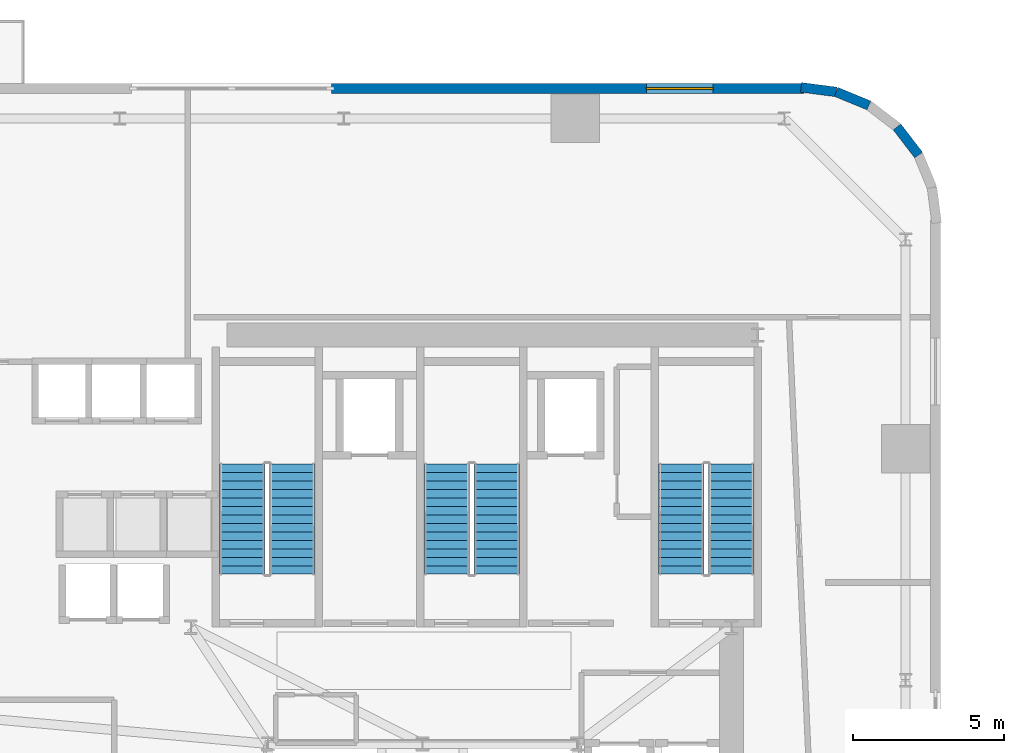
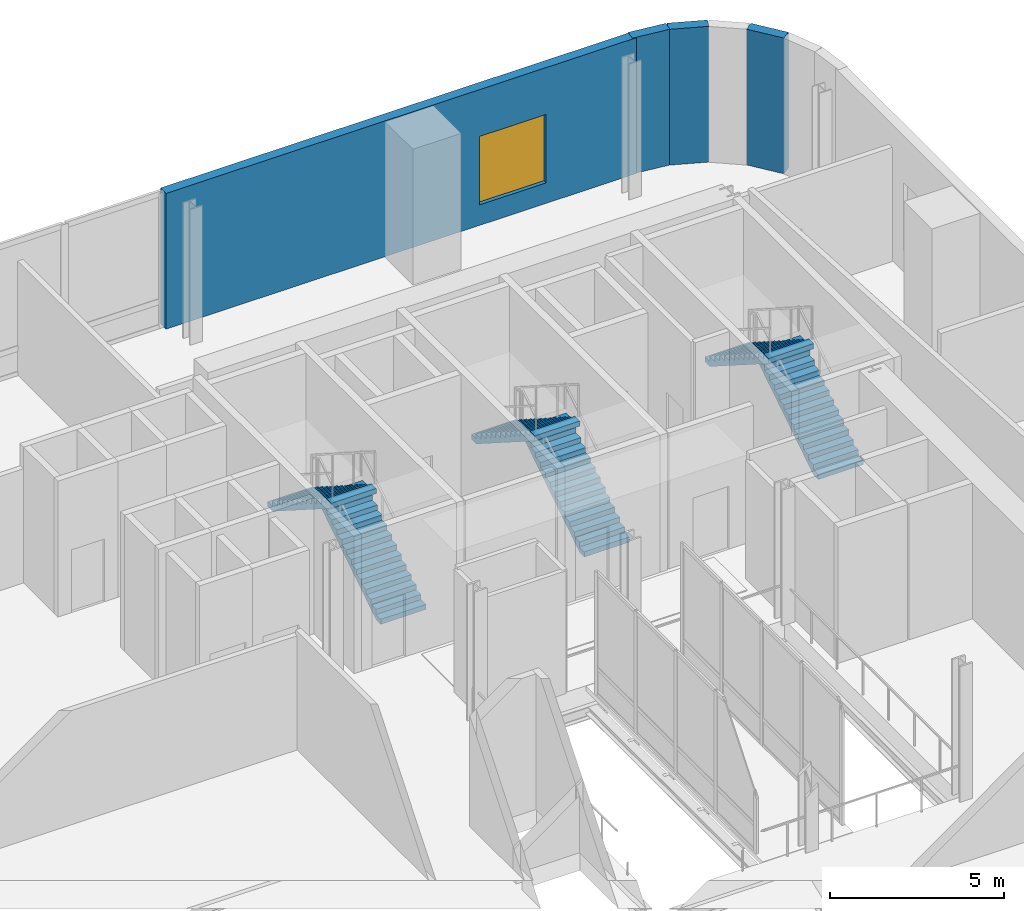
# One storey, part 10 of 13: 6 stair flights, 4 walls, 1 window, 1 opening, 3 elements without a shape of their own.
"""IFC4 building model written with IfcOpenShell, lengths in metres."""

import ifcopenshell
import ifcopenshell.guid

model = None  # the IFC model being written
_history = None  # IfcOwnerHistory: only IFC2X3 demands one
_inside = {}  # id of a spatial element -> (the spatial element, [elements in it])
_under = {}  # id of a project, library or spatial element -> (it, [spatial elements below it])
_declared = {}  # id of a project -> (the project, [libraries it declares])
_typed = {}  # id of a type object -> (the type object, [elements of that type])
_made_of = {}  # id of a material, layer set ... -> (it, [elements and type objects made of it])


def new_model(schema):
    """Start an empty IFC model of exactly this schema.

    Asked for "IFC4X3", IfcOpenShell would pick the latest addendum, in which some entities
    have other attributes; the version numbers below select the first issue.
    IFC2X3 requires an IfcOwnerHistory on every rooted entity: one is made here for all.
    """
    global model, _history
    if schema == "IFC4X3":
        model = ifcopenshell.file(schema_version=(4, 3, 0, 0))
    else:
        model = ifcopenshell.file(schema=schema)
    _inside.clear()
    _under.clear()
    _declared.clear()
    _typed.clear()
    _made_of.clear()
    _history = None
    if model.schema == "IFC2X3":
        org = make("IfcOrganization", Name="unknown")
        user = make(
            "IfcPersonAndOrganization",
            ThePerson=make("IfcPerson", FamilyName="unknown"),
            TheOrganization=org,
        )
        app = make(
            "IfcApplication",
            ApplicationDeveloper=org,
            Version="unknown",
            ApplicationFullName="unknown",
            ApplicationIdentifier="unknown",
        )
        _history = make(
            "IfcOwnerHistory",
            OwningUser=user,
            OwningApplication=app,
            ChangeAction="ADDED",
            CreationDate=0,
        )
    return model


def make(cls, **values):
    """One entity of the class cls with the attributes given. An attribute that is None is left unset."""
    return model.create_entity(
        cls, **{name: value for name, value in values.items() if value is not None}
    )


def rooted(cls, **values):
    """An entity with a GlobalId (a new one), such as an element, a storey or a relation."""
    return make(cls, GlobalId=ifcopenshell.guid.new(), OwnerHistory=_history, **values)


def si_unit(unit_type, name, prefix=None):
    """IfcSIUnit, for example si_unit("LENGTHUNIT", "METRE", prefix="MILLI")."""
    return make("IfcSIUnit", UnitType=unit_type, Prefix=prefix, Name=name)


def assignment(units):
    """IfcUnitAssignment: the units of a project."""
    return None if units is None else make("IfcUnitAssignment", Units=units)


def point(xyz):
    """IfcCartesianPoint."""
    return None if xyz is None else make("IfcCartesianPoint", Coordinates=xyz)


def direction(xyz):
    """IfcDirection."""
    return None if xyz is None else make("IfcDirection", DirectionRatios=xyz)


def frame(location, z_axis=None, x_axis=None):
    """IfcAxis2Placement3D, a coordinate frame: its origin and axes. An axis left out is left unset."""
    return make(
        "IfcAxis2Placement3D",
        Location=point(location),
        Axis=direction(z_axis),
        RefDirection=direction(x_axis),
    )


def frame_2d(location, x_axis=None):
    """IfcAxis2Placement2D, a coordinate frame in the plane: its origin and x axis."""
    return make(
        "IfcAxis2Placement2D", Location=point(location), RefDirection=direction(x_axis)
    )


def origin():
    """The frame at (0, 0, 0) with its axes left unset."""
    return frame((0.0, 0.0, 0.0))


def place(relative_to, where):
    """IfcLocalPlacement: puts the frame where relative to a parent placement (None: the world)."""
    return make(
        "IfcLocalPlacement", PlacementRelTo=relative_to, RelativePlacement=where
    )


def context(
    kind, dimensions, precision=None, world=None, true_north=None, identifier=None
):
    """IfcGeometricRepresentationContext, for example the 3D "Model" context."""
    return make(
        "IfcGeometricRepresentationContext",
        ContextIdentifier=identifier,
        ContextType=kind,
        CoordinateSpaceDimension=dimensions,
        Precision=precision,
        WorldCoordinateSystem=world,
        TrueNorth=true_north,
    )


def subcontext(parent, identifier, kind, view, scale=None):
    """IfcGeometricRepresentationSubContext, for example "Body" below "Model"."""
    return make(
        "IfcGeometricRepresentationSubContext",
        ContextIdentifier=identifier,
        ContextType=kind,
        ParentContext=parent,
        TargetScale=scale,
        TargetView=view,
    )


def project(units=None, contexts=None):
    """IfcProject with its units and contexts."""
    return rooted(
        "IfcProject",
        Name="project",
        RepresentationContexts=contexts,
        UnitsInContext=assignment(units),
    )


def spatial(cls, under=None, at=None, **own):
    """A site, building, storey or space (cls), placed at a placement, below another one or the project."""
    s = rooted(cls, ObjectPlacement=at, **own)
    if under is not None:
        _under.setdefault(under.id(), (under, []))[1].append(s)
    return s


def polyline(points):
    """IfcPolyline through the points."""
    return make("IfcPolyline", Points=[point(p) for p in points])


def profile(cls, at=None, kind="AREA", **sizes):
    """A parametric profile (cls). Its sizes go by their IFC names, for example OverallWidth=200.0."""
    return make(cls, ProfileType=kind, Position=at, **sizes)


def rectangle(**sizes):
    """IfcRectangleProfileDef."""
    return profile("IfcRectangleProfileDef", **sizes)


def outline(outer, holes=None, kind="AREA"):
    """IfcArbitraryClosedProfileDef: a profile drawn as a closed curve; with holes, ...WithVoids."""
    if holes is None:
        return make("IfcArbitraryClosedProfileDef", ProfileType=kind, OuterCurve=outer)
    return make(
        "IfcArbitraryProfileDefWithVoids",
        ProfileType=kind,
        OuterCurve=outer,
        InnerCurves=holes,
    )


def extrude(swept, where, along, depth):
    """IfcExtrudedAreaSolid: the profile swept, set in the frame where, extruded along a direction by depth."""
    return make(
        "IfcExtrudedAreaSolid",
        SweptArea=swept,
        Position=where,
        ExtrudedDirection=direction(along),
        Depth=depth,
    )


def shape(context_of_items, identifier, shape_type, items):
    """IfcShapeRepresentation: the items that make up one representation, for example the "Body"."""
    return make(
        "IfcShapeRepresentation",
        ContextOfItems=context_of_items,
        RepresentationIdentifier=identifier,
        RepresentationType=shape_type,
        Items=items,
    )


def source(mapping_origin, context_of_items, identifier, shape_type, items):
    """IfcRepresentationMap: a shape defined once, which mapped items show again and again."""
    return make(
        "IfcRepresentationMap",
        MappingOrigin=mapping_origin,
        MappedRepresentation=shape(context_of_items, identifier, shape_type, items),
    )


def transform(
    local_origin,
    x_axis=None,
    y_axis=None,
    z_axis=None,
    scale=None,
    scale2=None,
    scale3=None,
    uniform=True,
):
    """IfcCartesianTransformationOperator3D, or its non-uniform kind. x_axis, y_axis, z_axis: its Axis1, 2, 3."""
    if uniform:
        return make(
            "IfcCartesianTransformationOperator3D",
            Axis1=direction(x_axis),
            Axis2=direction(y_axis),
            LocalOrigin=point(local_origin),
            Scale=scale,
            Axis3=direction(z_axis),
        )
    return make(
        "IfcCartesianTransformationOperator3DnonUniform",
        Axis1=direction(x_axis),
        Axis2=direction(y_axis),
        LocalOrigin=point(local_origin),
        Scale=scale,
        Axis3=direction(z_axis),
        Scale2=scale2,
        Scale3=scale3,
    )


def mapped(mapping_source, mapping_target):
    """IfcMappedItem: shows the shape of a source again, moved by a transform."""
    return make(
        "IfcMappedItem", MappingSource=mapping_source, MappingTarget=mapping_target
    )


def material(Name=None, Category=None):
    """IfcMaterial."""
    return make("IfcMaterial", Name=Name, Category=Category)


def layer(
    of_material, thickness, ventilated=None, Name=None, Category=None, Priority=None
):
    """IfcMaterialLayer: one layer of a wall or slab, of a material (None: an air gap)."""
    return make(
        "IfcMaterialLayer",
        Material=of_material,
        LayerThickness=thickness,
        IsVentilated=ventilated,
        Name=Name,
        Category=Category,
        Priority=Priority,
    )


def layer_set(layers, Name=None):
    """IfcMaterialLayerSet."""
    return make("IfcMaterialLayerSet", MaterialLayers=layers, LayerSetName=Name)


def made_of(thing, what):
    """Note that an element or type object is made of a material, layer set ...; save() writes the relation."""
    if what is not None:
        _made_of.setdefault(what.id(), (what, []))[1].append(thing)
    return thing


def type_object(cls, material=None, **own):
    """A type object (cls), such as IfcWallType, which elements share."""
    return made_of(rooted(cls, **own), material)


def element(
    cls,
    number,
    at=None,
    inside=None,
    cuts=None,
    type_object=None,
    material=None,
    context=None,
    identifier="Body",
    shape_type=None,
    held_by="IfcProductDefinitionShape",
    body=None,
    shapes=None,
    **own,
):
    """One element of the class cls, such as IfcWall. Its Tag is "e" and its number.

    at: its placement. inside: the storey or other place that contains it. cuts: it is an
    opening in that element (IfcRelVoidsElement). A single representation is given by context,
    identifier, shape_type and body (its items); several are given by shapes. held_by: the class
    of the entity that holds the representations. save() writes the other relations.
    """
    e = rooted(cls, Tag="e%d" % number, ObjectPlacement=at, **own)
    if body is not None:
        shapes = [shape(context, identifier, shape_type, body)]
    if shapes is not None:
        e.Representation = make(held_by, Representations=shapes)
    if inside is not None:
        _inside.setdefault(inside.id(), (inside, []))[1].append(e)
    if cuts is not None:
        rooted(
            "IfcRelVoidsElement", RelatingBuildingElement=cuts, RelatedOpeningElement=e
        )
    if type_object is not None:
        _typed.setdefault(type_object.id(), (type_object, []))[1].append(e)
    return made_of(e, material)


def fill(opening, filler):
    """IfcRelFillsElement: the door or window that sits in an opening."""
    return rooted(
        "IfcRelFillsElement",
        RelatingOpeningElement=opening,
        RelatedBuildingElement=filler,
    )


def aggregate(whole, parts):
    """IfcRelAggregates: a whole, such as a stair, and the parts it consists of."""
    return rooted("IfcRelAggregates", RelatingObject=whole, RelatedObjects=parts)


def save(model, path):
    """Write the relations noted so far, then the file.

    IfcRelAggregates (storeys below a building ...), IfcRelContainedInSpatialStructure (elements
    in a storey), IfcRelDefinesByType, IfcRelAssociatesMaterial and IfcRelDeclares: one each for
    every whole, place, type object, material and project.
    """
    for whole, parts in _under.values():
        aggregate(whole, parts)
    for where, things in _inside.values():
        rooted(
            "IfcRelContainedInSpatialStructure",
            RelatedElements=things,
            RelatingStructure=where,
        )
    for kind, things in _typed.values():
        rooted("IfcRelDefinesByType", RelatedObjects=things, RelatingType=kind)
    for what, things in _made_of.values():
        rooted("IfcRelAssociatesMaterial", RelatedObjects=things, RelatingMaterial=what)
    for by, libraries in _declared.values():
        rooted("IfcRelDeclares", RelatingContext=by, RelatedDefinitions=libraries)
    model.write(path)


model = new_model("IFC4")

# Units and contexts
model_context = context("Model", 3, precision=1e-05, world=origin(), true_north=direction((0.0, 1.0)))
body_context = subcontext(model_context, "Body", "Model", "MODEL_VIEW")
ifc_project = project(units=[si_unit("LENGTHUNIT", "METRE"), si_unit("AREAUNIT", "SQUARE_METRE"), si_unit("VOLUMEUNIT", "CUBIC_METRE"), si_unit("PLANEANGLEUNIT", "RADIAN"), si_unit("MASSUNIT", "GRAM", prefix="KILO")], contexts=[model_context])

# Site, building, storey
site_placement = place(None, origin())
site = spatial("IfcSite", under=ifc_project, at=site_placement, CompositionType="ELEMENT")
building_placement = place(site_placement, origin())
building = spatial("IfcBuilding", under=site, at=building_placement, Name="Vardaveli Station Tower", CompositionType="ELEMENT")
storey_placement = place(building_placement, frame((0.0, 0.0, 98.699951171875)))
storey = spatial("IfcBuildingStorey", under=building, at=storey_placement, Name="L25", CompositionType="ELEMENT", Elevation=98.699951171875)

# Wall, opening, window
ifc_material_1 = material(Name="Precast concrete C45/55", Category="concrete")
ifc_layer = layer(ifc_material_1, 0.320068359375, Name="Precast concrete C45/55")
ifc_layer_set = layer_set([ifc_layer], Name="Precast concrete C45/55")
wall_type = type_object("IfcWallType", Name="WAL-EXT-STONE-320", PredefinedType="SOLIDWALL", material=ifc_layer_set)
shared_shape_1 = source(origin(), body_context, "Body", "SweptSolid", [
    extrude(rectangle(XDim=15.599853515625, YDim=0.320068359375, at=frame_2d((7.7998046875, 0.0))), origin(), (0.0, 0.0, 1.0), 4.760009765625),
])
wall_1_placement = place(storey_placement, frame((48.89990234375, 48.43994140625, 0.0), z_axis=(0.0, 0.0, 1.0), x_axis=(-1.0, 0.0, 0.0)))
wall_1 = element("IfcWall", 1, at=wall_1_placement, inside=storey, type_object=wall_type, Name="EW-L25-N1", PredefinedType="SOLIDWALL", context=body_context, shape_type="MappedRepresentation", body=[
    mapped(shared_shape_1, transform((0.0, 0.0, 0.0), scale=1.0)),
])
shared_shape_2 = source(origin(), body_context, "Body", "SweptSolid", [
    extrude(rectangle(XDim=2.199951171875, YDim=2.39990234375, at=frame_2d((1.10009765625, 1.199951171875))), frame((0.0, 0.169921875, 0.0), z_axis=(0.0, -1.0, 0.0), x_axis=(1.0, 0.0, 0.0)), (0.0, 0.0, 1.0), 0.340087890625),
])
opening_placement = place(wall_1_placement, frame((3.0048828125, 0.0, 0.719970703125)))
opening = element("IfcOpeningElement", 2, at=opening_placement, cuts=wall_1, Name="Opening W-03", PredefinedType="OPENING", context=body_context, shape_type="MappedRepresentation", body=[
    mapped(shared_shape_2, transform((0.0, 0.0, 0.0), scale=1.0)),
])
ifc_material_2 = material(Name="Low-E solar-control glass", Category="glass")
window_type = type_object("IfcWindowType", Name="WIN-LOG-2200x2400", PartitioningType="SINGLE_PANEL", PredefinedType="WINDOW", material=ifc_material_2)
shared_shape_3 = source(origin(), body_context, "Body", "SweptSolid", [
    extrude(rectangle(XDim=2.199951171875, YDim=2.39990234375, at=frame_2d((1.10009765625, 1.199951171875))), frame((0.0, 0.030029296875, 0.0), z_axis=(0.0, -1.0, 0.0), x_axis=(1.0, 0.0, 0.0)), (0.0, 0.0, 1.0), 0.06005859375),
])
window_placement = place(opening_placement, origin())
window = element("IfcWindow", 3, at=window_placement, inside=storey, type_object=window_type, Name="WN-L25-N1", OverallHeight=2.39990234375, OverallWidth=2.199951171875, PartitioningType="SINGLE_PANEL", PredefinedType="WINDOW", context=body_context, shape_type="MappedRepresentation", body=[
    mapped(shared_shape_3, transform((0.0, 0.0, 0.0), scale=1.0)),
])
fill(opening, window)

# Walls
shared_shape_4 = source(origin(), body_context, "Body", "SweptSolid", [
    extrude(rectangle(XDim=1.1689453125, YDim=0.320068359375, at=frame_2d((0.58447265625, 0.0))), origin(), (0.0, 0.0, 1.0), 4.760009765625),
])
wall_2_placement = place(storey_placement, frame((52.679931640625, 46.2412109375, 0.0), z_axis=(0.0, 0.0, 1.0), x_axis=(-0.608387696831, 0.793639975269, 0.0)))
element("IfcWall", 4, at=wall_2_placement, inside=storey, type_object=wall_type, Name="EW-L25-CR3-3", PredefinedType="SOLIDWALL", context=body_context, shape_type="MappedRepresentation", body=[
    mapped(shared_shape_4, transform((0.0, 0.0, 0.0), scale=1.0)),
])
shared_shape_5 = source(origin(), body_context, "Body", "SweptSolid", [
    extrude(rectangle(XDim=1.17041015625, YDim=0.320068359375, at=frame_2d((0.585205078125, 0.0))), origin(), (0.0, 0.0, 1.0), 4.760009765625),
])
wall_3_placement = place(storey_placement, frame((49.960205078125, 48.325439453125, 0.0), z_axis=(0.0, 0.0, 1.0), x_axis=(-0.991735963317, 0.128295670475, 0.0)))
element("IfcWall", 5, at=wall_3_placement, inside=storey, type_object=wall_type, Name="EW-L25-CR3-6", PredefinedType="SOLIDWALL", context=body_context, shape_type="MappedRepresentation", body=[
    mapped(shared_shape_5, transform((0.0, 0.0, 0.0), scale=1.0)),
])
shared_shape_6 = source(origin(), body_context, "Body", "SweptSolid", [
    extrude(rectangle(XDim=1.169189453125, YDim=0.320068359375, at=frame_2d((0.58447265625, 0.0))), origin(), (0.0, 0.0, 1.0), 4.760009765625),
])
wall_4_placement = place(storey_placement, frame((51.041259765625, 47.8798828125, 0.0), z_axis=(0.0, 0.0, 1.0), x_axis=(-0.924552646638, 0.381054331552, 0.0)))
element("IfcWall", 6, at=wall_4_placement, inside=storey, type_object=wall_type, Name="EW-L25-CR3-5", PredefinedType="SOLIDWALL", context=body_context, shape_type="MappedRepresentation", body=[
    mapped(shared_shape_6, transform((0.0, 0.0, 0.0), scale=1.0)),
])

# Stair, stair flights
ifc_material_3 = material(Name="Concrete C40/50", Category="concrete")
stair_type = type_object("IfcStairType", Name="STR-CORE-1500", PredefinedType="HALF_TURN_STAIR", material=ifc_material_3)
stair_1_placement = place(storey_placement, origin())
stair_1 = element("IfcStair", 7, at=stair_1_placement, inside=storey, type_object=stair_type, Name="L25 ST-1", PredefinedType="HALF_TURN_STAIR")
stair_flight_type = type_object("IfcStairFlightType", Name="SFL-CORE-1500", PredefinedType="STRAIGHT", material=ifc_material_3)
shared_shape_7 = source(origin(), body_context, "Body", "SweptSolid", [
    extrude(outline(polyline([(0.0, 0.0), (0.0, 0.178466796875), (0.280029296875, 0.178466796875), (0.280029296875, 0.357177734375), (0.56005859375, 0.357177734375), (0.56005859375, 0.53564453125), (0.840087890625, 0.53564453125), (0.840087890625, 0.71435546875), (1.1201171875, 0.71435546875), (1.1201171875, 0.892822265625), (1.39990234375, 0.892822265625), (1.39990234375, 1.071533203125), (1.679931640625, 1.071533203125), (1.679931640625, 1.25), (1.9599609375, 1.25), (1.9599609375, 1.428466796875), (2.239990234375, 1.428466796875), (2.239990234375, 1.607177734375), (2.52001953125, 1.607177734375), (2.52001953125, 1.78564453125), (2.800048828125, 1.78564453125), (2.800048828125, 1.96435546875), (3.080078125, 1.96435546875), (3.080078125, 2.142822265625), (3.360107421875, 2.142822265625), (3.360107421875, 2.321533203125), (3.639892578125, 2.321533203125), (3.639892578125, 2.5), (3.639892578125, 2.1435546875), (0.27880859375, 0.0), (0.0, 0.0)])), frame((0.0, 0.75, 0.0), z_axis=(0.0, -1.0, 0.0), x_axis=(1.0, 0.0, 0.0)), (0.0, 0.0, 1.0), 1.5),
])
stair_flight_1_placement = place(storey_placement, frame((32.0, 32.39990234375, 0.0), z_axis=(0.0, 0.0, 1.0), x_axis=(0.0, 1.0, 0.0)))
stair_flight_1 = element("IfcStairFlight", 8, at=stair_flight_1_placement, type_object=stair_flight_type, Name="ST-1 flight 1", NumberOfRisers=14, NumberOfTreads=13, PredefinedType="STRAIGHT", RiserHeight=0.178571429, TreadLength=0.28, context=body_context, shape_type="MappedRepresentation", body=[
    mapped(shared_shape_7, transform((0.0, 0.0, 0.0), scale=1.0)),
])
stair_flight_2_placement = place(storey_placement, frame((30.35009765625, 36.0400390625, 2.5), z_axis=(0.0, 0.0, 1.0), x_axis=(0.0, -1.0, 0.0)))
stair_flight_2 = element("IfcStairFlight", 9, at=stair_flight_2_placement, type_object=stair_flight_type, Name="ST-1 flight 2", NumberOfRisers=14, NumberOfTreads=13, PredefinedType="STRAIGHT", RiserHeight=0.178571429, TreadLength=0.28, context=body_context, shape_type="MappedRepresentation", body=[
    mapped(shared_shape_7, transform((0.0, 0.0, 0.0), scale=1.0)),
])
aggregate(stair_1, [stair_flight_1, stair_flight_2])

stair_2_placement = place(storey_placement, origin())
stair_2 = element("IfcStair", 10, at=stair_2_placement, inside=storey, type_object=stair_type, Name="L25 ST-2", PredefinedType="HALF_TURN_STAIR")
stair_flight_3_placement = place(storey_placement, frame((38.75, 32.39990234375, 0.0), z_axis=(0.0, 0.0, 1.0), x_axis=(0.0, 1.0, 0.0)))
stair_flight_3 = element("IfcStairFlight", 11, at=stair_flight_3_placement, type_object=stair_flight_type, Name="ST-2 flight 1", NumberOfRisers=14, NumberOfTreads=13, PredefinedType="STRAIGHT", RiserHeight=0.178571429, TreadLength=0.28, context=body_context, shape_type="MappedRepresentation", body=[
    mapped(shared_shape_7, transform((0.0, 0.0, 0.0), scale=1.0)),
])
stair_flight_4_placement = place(storey_placement, frame((37.10009765625, 36.0400390625, 2.5), z_axis=(0.0, 0.0, 1.0), x_axis=(0.0, -1.0, 0.0)))
stair_flight_4 = element("IfcStairFlight", 12, at=stair_flight_4_placement, type_object=stair_flight_type, Name="ST-2 flight 2", NumberOfRisers=14, NumberOfTreads=13, PredefinedType="STRAIGHT", RiserHeight=0.178571429, TreadLength=0.28, context=body_context, shape_type="MappedRepresentation", body=[
    mapped(shared_shape_7, transform((0.0, 0.0, 0.0), scale=1.0)),
])
aggregate(stair_2, [stair_flight_3, stair_flight_4])

stair_3_placement = place(storey_placement, origin())
stair_3 = element("IfcStair", 13, at=stair_3_placement, inside=storey, type_object=stair_type, Name="L25 ST-3", PredefinedType="HALF_TURN_STAIR")
stair_flight_5_placement = place(storey_placement, frame((46.5, 32.39990234375, 0.0), z_axis=(0.0, 0.0, 1.0), x_axis=(0.0, 1.0, 0.0)))
stair_flight_5 = element("IfcStairFlight", 14, at=stair_flight_5_placement, type_object=stair_flight_type, Name="ST-3 flight 1", NumberOfRisers=14, NumberOfTreads=13, PredefinedType="STRAIGHT", RiserHeight=0.178571429, TreadLength=0.28, context=body_context, shape_type="MappedRepresentation", body=[
    mapped(shared_shape_7, transform((0.0, 0.0, 0.0), scale=1.0)),
])
stair_flight_6_placement = place(storey_placement, frame((44.85009765625, 36.0400390625, 2.5), z_axis=(0.0, 0.0, 1.0), x_axis=(0.0, -1.0, 0.0)))
stair_flight_6 = element("IfcStairFlight", 15, at=stair_flight_6_placement, type_object=stair_flight_type, Name="ST-3 flight 2", NumberOfRisers=14, NumberOfTreads=13, PredefinedType="STRAIGHT", RiserHeight=0.178571429, TreadLength=0.28, context=body_context, shape_type="MappedRepresentation", body=[
    mapped(shared_shape_7, transform((0.0, 0.0, 0.0), scale=1.0)),
])
aggregate(stair_3, [stair_flight_5, stair_flight_6])

save(model, "model.ifc")
